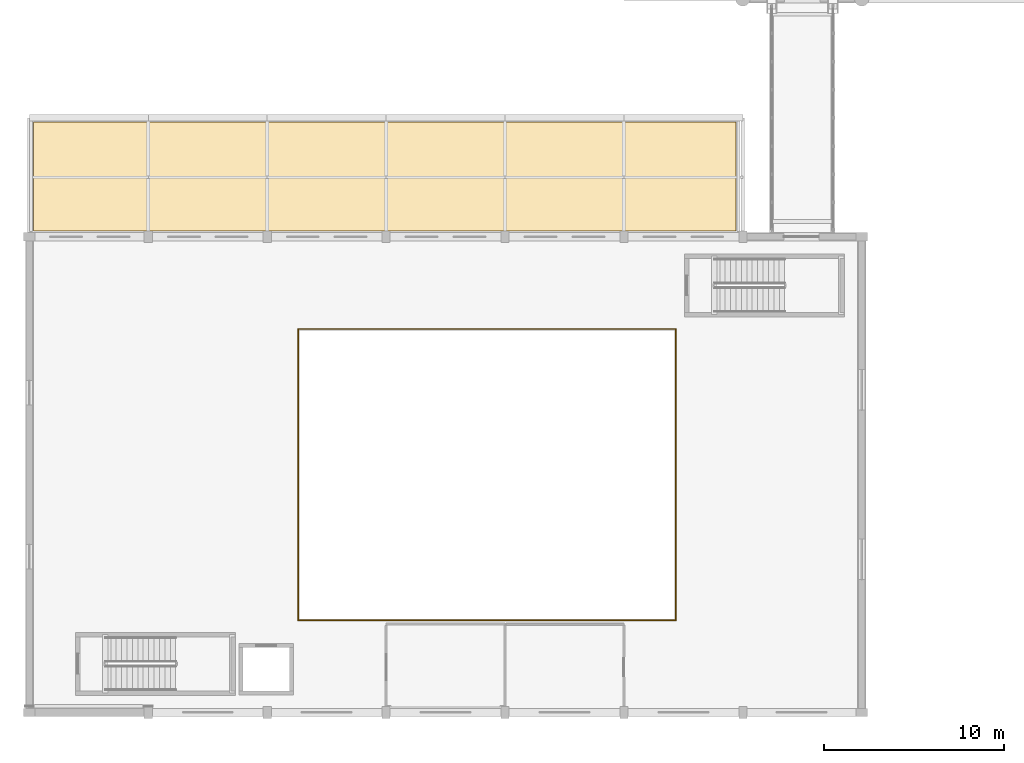
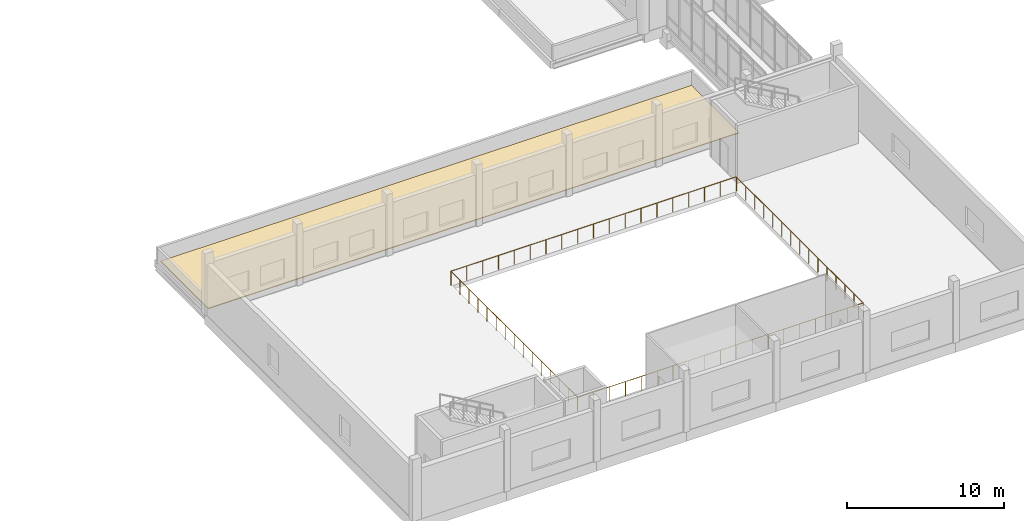
# One storey, part 103 of 125: 2 railings, 1 covering.
"""IFC4 building model written with IfcOpenShell, lengths in metres."""

from ifc_helpers import new_model, si_unit, direction, frame, origin, origin_2d, place, context, subcontext, project, spatial, polyline, circle, outline, extrude, material, layer, layer_set, type_object, element, save


model = new_model("IFC4")

# Units and contexts
model_context = context("Model", 3, precision=1e-05, world=origin(), true_north=direction((0.0, 1.0)))
body_context = subcontext(model_context, "Body", "Model", "MODEL_VIEW")
ifc_project = project(units=[si_unit("LENGTHUNIT", "METRE"), si_unit("AREAUNIT", "SQUARE_METRE"), si_unit("VOLUMEUNIT", "CUBIC_METRE"), si_unit("PLANEANGLEUNIT", "RADIAN"), si_unit("MASSUNIT", "GRAM", prefix="KILO")], contexts=[model_context])

# Site, building, storey
site_placement = place(None, origin())
site = spatial("IfcSite", under=ifc_project, at=site_placement, CompositionType="ELEMENT")
building_placement = place(site_placement, origin())
building = spatial("IfcBuilding", under=site, at=building_placement, Name="Dornvale Research Institute", CompositionType="ELEMENT")
storey_placement = place(building_placement, frame((0.0, 0.0, 5.39990234375)))
storey = spatial("IfcBuildingStorey", under=building, at=storey_placement, Name="L01", CompositionType="ELEMENT", Elevation=5.39990234375)

# Covering
ifc_material_1 = material(Name="TPO High-Reflectance Cool Roof Membrane and Rigid Insulation")
ifc_layer_1 = layer(ifc_material_1, 0.06005859375)
ifc_layer_set_1 = layer_set([ifc_layer_1], Name="TPO High-Reflectance Cool Roof Membrane and Rigid Insulation")
covering_type = type_object("IfcCoveringType", Name="Covering_CoolRoof_Membrane", PredefinedType="ROOFING", material=ifc_layer_set_1)
covering_placement = place(storey_placement, origin())
element("IfcCovering", 1, at=covering_placement, inside=storey, type_object=covering_type, Name="L01 colonnade canopy membrane S", PredefinedType="ROOFING", context=body_context, shape_type="SweptSolid", body=[
    extrude(outline(polyline([(0.219970703125, 26.719970703125), (39.22998046875, 26.719970703125), (39.22998046875, 32.780029296875), (0.219970703125, 32.780029296875), (0.219970703125, 26.719970703125)])), origin(), (0.0, 0.0, 1.0), 0.06005859375),
])

# Railings
ifc_material_2 = material(Name="Architectural Bronze-Anodized Steel Balustrade", Category="steel")
ifc_layer_2 = layer(ifc_material_2, 0.070068359375)
ifc_layer_set_2 = layer_set([ifc_layer_2], Name="Architectural Bronze-Anodized Steel Balustrade")
railing_type = type_object("IfcRailingType", Name="Railing_Atrium_Balustrade_1120", PredefinedType="BALUSTRADE", material=ifc_layer_set_2)
railing_1_placement = place(storey_placement, frame((14.919921875, 5.1201171875, 0.0)))
element("IfcRailing", 2, at=railing_1_placement, inside=storey, type_object=railing_type, Name="L01 BAL-V1 balustrade SE", PredefinedType="BALUSTRADE", context=body_context, shape_type="SweptSolid", body=[
    extrude(circle(Radius=0.02392578125, at=origin_2d()), frame((0.0, 0.0, 1.09619140625), z_axis=(1.0, 0.0, 0.0), x_axis=(0.0, 1.0, 0.0)), (0.0, 0.0, 1.0), 20.9599609375),
    extrude(circle(Radius=0.02392578125, at=origin_2d()), frame((20.9599609375, 0.0, 1.09619140625), z_axis=(0.0, 1.0, 0.0), x_axis=(-1.0, 0.0, 0.0)), (0.0, 0.0, 1.0), 16.099853515625),
    extrude(circle(Radius=0.02099609375, at=origin_2d()), origin(), (0.0, 0.0, 1.0), 1.072021484375),
    extrude(circle(Radius=0.02099609375, at=origin_2d()), frame((1.16455078125, 0.0, 0.0)), (0.0, 0.0, 1.0), 1.072021484375),
    extrude(circle(Radius=0.02099609375, at=origin_2d()), frame((2.328857421875, 0.0, 0.0)), (0.0, 0.0, 1.0), 1.072021484375),
    extrude(circle(Radius=0.02099609375, at=origin_2d()), frame((3.493408203125, 0.0, 0.0)), (0.0, 0.0, 1.0), 1.072021484375),
    extrude(circle(Radius=0.02099609375, at=origin_2d()), frame((4.65771484375, 0.0, 0.0)), (0.0, 0.0, 1.0), 1.072021484375),
    extrude(circle(Radius=0.02099609375, at=origin_2d()), frame((5.822265625, 0.0, 0.0)), (0.0, 0.0, 1.0), 1.072021484375),
    extrude(circle(Radius=0.02099609375, at=origin_2d()), frame((6.986572265625, 0.0, 0.0)), (0.0, 0.0, 1.0), 1.072021484375),
    extrude(circle(Radius=0.02099609375, at=origin_2d()), frame((8.151123046875, 0.0, 0.0)), (0.0, 0.0, 1.0), 1.072021484375),
    extrude(circle(Radius=0.02099609375, at=origin_2d()), frame((9.3154296875, 0.0, 0.0)), (0.0, 0.0, 1.0), 1.072021484375),
    extrude(circle(Radius=0.02099609375, at=origin_2d()), frame((10.47998046875, 0.0, 0.0)), (0.0, 0.0, 1.0), 1.072021484375),
    extrude(circle(Radius=0.02099609375, at=origin_2d()), frame((11.64453125, 0.0, 0.0)), (0.0, 0.0, 1.0), 1.072021484375),
    extrude(circle(Radius=0.02099609375, at=origin_2d()), frame((12.808837890625, 0.0, 0.0)), (0.0, 0.0, 1.0), 1.072021484375),
    extrude(circle(Radius=0.02099609375, at=origin_2d()), frame((13.973388671875, 0.0, 0.0)), (0.0, 0.0, 1.0), 1.072021484375),
    extrude(circle(Radius=0.02099609375, at=origin_2d()), frame((15.1376953125, 0.0, 0.0)), (0.0, 0.0, 1.0), 1.072021484375),
    extrude(circle(Radius=0.02099609375, at=origin_2d()), frame((16.30224609375, 0.0, 0.0)), (0.0, 0.0, 1.0), 1.072021484375),
    extrude(circle(Radius=0.02099609375, at=origin_2d()), frame((17.466552734375, 0.0, 0.0)), (0.0, 0.0, 1.0), 1.072021484375),
    extrude(circle(Radius=0.02099609375, at=origin_2d()), frame((18.631103515625, 0.0, 0.0)), (0.0, 0.0, 1.0), 1.072021484375),
    extrude(circle(Radius=0.02099609375, at=origin_2d()), frame((19.79541015625, 0.0, 0.0)), (0.0, 0.0, 1.0), 1.072021484375),
    extrude(circle(Radius=0.02099609375, at=origin_2d()), frame((20.9599609375, 0.0, 0.0)), (0.0, 0.0, 1.0), 1.072021484375),
    extrude(circle(Radius=0.02099609375, at=origin_2d()), frame((20.9599609375, 1.14990234375, 0.0)), (0.0, 0.0, 1.0), 1.072021484375),
    extrude(circle(Radius=0.02099609375, at=origin_2d()), frame((20.9599609375, 2.300048828125, 0.0)), (0.0, 0.0, 1.0), 1.072021484375),
    extrude(circle(Radius=0.02099609375, at=origin_2d()), frame((20.9599609375, 3.449951171875, 0.0)), (0.0, 0.0, 1.0), 1.072021484375),
    extrude(circle(Radius=0.02099609375, at=origin_2d()), frame((20.9599609375, 4.599853515625, 0.0)), (0.0, 0.0, 1.0), 1.072021484375),
    extrude(circle(Radius=0.02099609375, at=origin_2d()), frame((20.9599609375, 5.75, 0.0)), (0.0, 0.0, 1.0), 1.072021484375),
    extrude(circle(Radius=0.02099609375, at=origin_2d()), frame((20.9599609375, 6.89990234375, 0.0)), (0.0, 0.0, 1.0), 1.072021484375),
    extrude(circle(Radius=0.02099609375, at=origin_2d()), frame((20.9599609375, 8.0498046875, 0.0)), (0.0, 0.0, 1.0), 1.072021484375),
    extrude(circle(Radius=0.02099609375, at=origin_2d()), frame((20.9599609375, 9.199951171875, 0.0)), (0.0, 0.0, 1.0), 1.072021484375),
    extrude(circle(Radius=0.02099609375, at=origin_2d()), frame((20.9599609375, 10.349853515625, 0.0)), (0.0, 0.0, 1.0), 1.072021484375),
    extrude(circle(Radius=0.02099609375, at=origin_2d()), frame((20.9599609375, 11.5, 0.0)), (0.0, 0.0, 1.0), 1.072021484375),
    extrude(circle(Radius=0.02099609375, at=origin_2d()), frame((20.9599609375, 12.64990234375, 0.0)), (0.0, 0.0, 1.0), 1.072021484375),
    extrude(circle(Radius=0.02099609375, at=origin_2d()), frame((20.9599609375, 13.7998046875, 0.0)), (0.0, 0.0, 1.0), 1.072021484375),
    extrude(circle(Radius=0.02099609375, at=origin_2d()), frame((20.9599609375, 14.949951171875, 0.0)), (0.0, 0.0, 1.0), 1.072021484375),
    extrude(circle(Radius=0.02099609375, at=origin_2d()), frame((20.9599609375, 16.099853515625, 0.0)), (0.0, 0.0, 1.0), 1.072021484375),
])
railing_2_placement = place(storey_placement, frame((35.8798828125, 21.280029296875, 0.0)))
element("IfcRailing", 3, at=railing_2_placement, inside=storey, type_object=railing_type, Name="L01 BAL-V1 balustrade NW", PredefinedType="BALUSTRADE", context=body_context, shape_type="SweptSolid", body=[
    extrude(circle(Radius=0.02392578125, at=origin_2d()), frame((0.0, 0.0, 1.09619140625), z_axis=(-1.0, 0.0, 0.0), x_axis=(0.0, -1.0, 0.0)), (0.0, 0.0, 1.0), 20.9599609375),
    extrude(circle(Radius=0.02392578125, at=origin_2d()), frame((-20.9599609375, 0.0, 1.09619140625), z_axis=(0.0, -1.0, 0.0), x_axis=(1.0, 0.0, 0.0)), (0.0, 0.0, 1.0), 16.10009765625),
    extrude(circle(Radius=0.02099609375, at=origin_2d()), origin(), (0.0, 0.0, 1.0), 1.072021484375),
    extrude(circle(Radius=0.02099609375, at=origin_2d()), frame((-1.16455078125, 0.0, 0.0)), (0.0, 0.0, 1.0), 1.072021484375),
    extrude(circle(Radius=0.02099609375, at=origin_2d()), frame((-2.328857421875, 0.0, 0.0)), (0.0, 0.0, 1.0), 1.072021484375),
    extrude(circle(Radius=0.02099609375, at=origin_2d()), frame((-3.493408203125, 0.0, 0.0)), (0.0, 0.0, 1.0), 1.072021484375),
    extrude(circle(Radius=0.02099609375, at=origin_2d()), frame((-4.65771484375, 0.0, 0.0)), (0.0, 0.0, 1.0), 1.072021484375),
    extrude(circle(Radius=0.02099609375, at=origin_2d()), frame((-5.822265625, 0.0, 0.0)), (0.0, 0.0, 1.0), 1.072021484375),
    extrude(circle(Radius=0.02099609375, at=origin_2d()), frame((-6.986572265625, 0.0, 0.0)), (0.0, 0.0, 1.0), 1.072021484375),
    extrude(circle(Radius=0.02099609375, at=origin_2d()), frame((-8.151123046875, 0.0, 0.0)), (0.0, 0.0, 1.0), 1.072021484375),
    extrude(circle(Radius=0.02099609375, at=origin_2d()), frame((-9.3154296875, 0.0, 0.0)), (0.0, 0.0, 1.0), 1.072021484375),
    extrude(circle(Radius=0.02099609375, at=origin_2d()), frame((-10.47998046875, 0.0, 0.0)), (0.0, 0.0, 1.0), 1.072021484375),
    extrude(circle(Radius=0.02099609375, at=origin_2d()), frame((-11.64453125, 0.0, 0.0)), (0.0, 0.0, 1.0), 1.072021484375),
    extrude(circle(Radius=0.02099609375, at=origin_2d()), frame((-12.808837890625, 0.0, 0.0)), (0.0, 0.0, 1.0), 1.072021484375),
    extrude(circle(Radius=0.02099609375, at=origin_2d()), frame((-13.973388671875, 0.0, 0.0)), (0.0, 0.0, 1.0), 1.072021484375),
    extrude(circle(Radius=0.02099609375, at=origin_2d()), frame((-15.1376953125, 0.0, 0.0)), (0.0, 0.0, 1.0), 1.072021484375),
    extrude(circle(Radius=0.02099609375, at=origin_2d()), frame((-16.30224609375, 0.0, 0.0)), (0.0, 0.0, 1.0), 1.072021484375),
    extrude(circle(Radius=0.02099609375, at=origin_2d()), frame((-17.466552734375, 0.0, 0.0)), (0.0, 0.0, 1.0), 1.072021484375),
    extrude(circle(Radius=0.02099609375, at=origin_2d()), frame((-18.631103515625, 0.0, 0.0)), (0.0, 0.0, 1.0), 1.072021484375),
    extrude(circle(Radius=0.02099609375, at=origin_2d()), frame((-19.79541015625, 0.0, 0.0)), (0.0, 0.0, 1.0), 1.072021484375),
    extrude(circle(Radius=0.02099609375, at=origin_2d()), frame((-20.9599609375, 0.0, 0.0)), (0.0, 0.0, 1.0), 1.072021484375),
    extrude(circle(Radius=0.02099609375, at=origin_2d()), frame((-20.9599609375, -1.14990234375, 0.0)), (0.0, 0.0, 1.0), 1.072021484375),
    extrude(circle(Radius=0.02099609375, at=origin_2d()), frame((-20.9599609375, -2.300048828125, 0.0)), (0.0, 0.0, 1.0), 1.072021484375),
    extrude(circle(Radius=0.02099609375, at=origin_2d()), frame((-20.9599609375, -3.449951171875, 0.0)), (0.0, 0.0, 1.0), 1.072021484375),
    extrude(circle(Radius=0.02099609375, at=origin_2d()), frame((-20.9599609375, -4.60009765625, 0.0)), (0.0, 0.0, 1.0), 1.072021484375),
    extrude(circle(Radius=0.02099609375, at=origin_2d()), frame((-20.9599609375, -5.75, 0.0)), (0.0, 0.0, 1.0), 1.072021484375),
    extrude(circle(Radius=0.02099609375, at=origin_2d()), frame((-20.9599609375, -6.900146484375, 0.0)), (0.0, 0.0, 1.0), 1.072021484375),
    extrude(circle(Radius=0.02099609375, at=origin_2d()), frame((-20.9599609375, -8.050048828125, 0.0)), (0.0, 0.0, 1.0), 1.072021484375),
    extrude(circle(Radius=0.02099609375, at=origin_2d()), frame((-20.9599609375, -9.199951171875, 0.0)), (0.0, 0.0, 1.0), 1.072021484375),
    extrude(circle(Radius=0.02099609375, at=origin_2d()), frame((-20.9599609375, -10.35009765625, 0.0)), (0.0, 0.0, 1.0), 1.072021484375),
    extrude(circle(Radius=0.02099609375, at=origin_2d()), frame((-20.9599609375, -11.5, 0.0)), (0.0, 0.0, 1.0), 1.072021484375),
    extrude(circle(Radius=0.02099609375, at=origin_2d()), frame((-20.9599609375, -12.650146484375, 0.0)), (0.0, 0.0, 1.0), 1.072021484375),
    extrude(circle(Radius=0.02099609375, at=origin_2d()), frame((-20.9599609375, -13.800048828125, 0.0)), (0.0, 0.0, 1.0), 1.072021484375),
    extrude(circle(Radius=0.02099609375, at=origin_2d()), frame((-20.9599609375, -14.9501953125, 0.0)), (0.0, 0.0, 1.0), 1.072021484375),
    extrude(circle(Radius=0.02099609375, at=origin_2d()), frame((-20.9599609375, -16.10009765625, 0.0)), (0.0, 0.0, 1.0), 1.072021484375),
])

save(model, "model.ifc")
